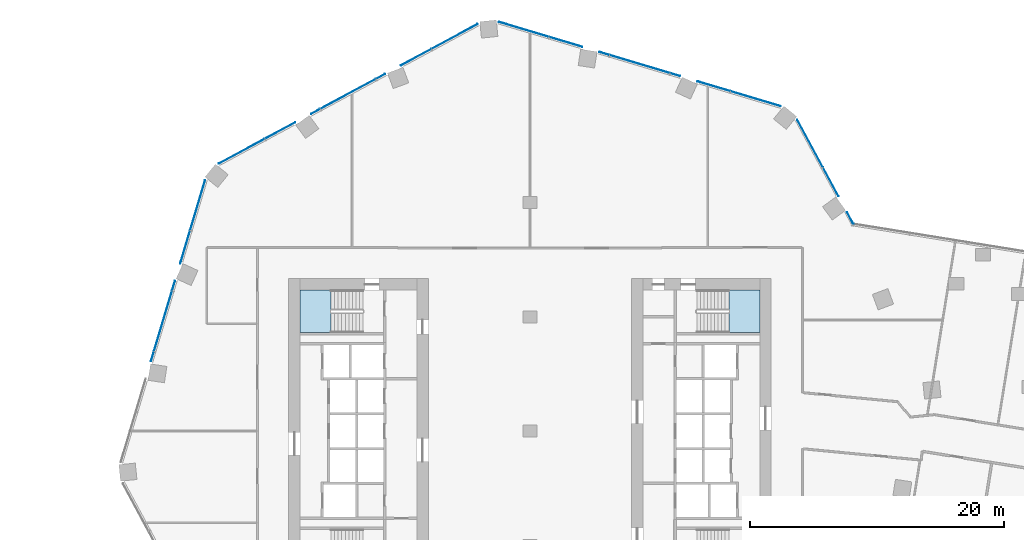
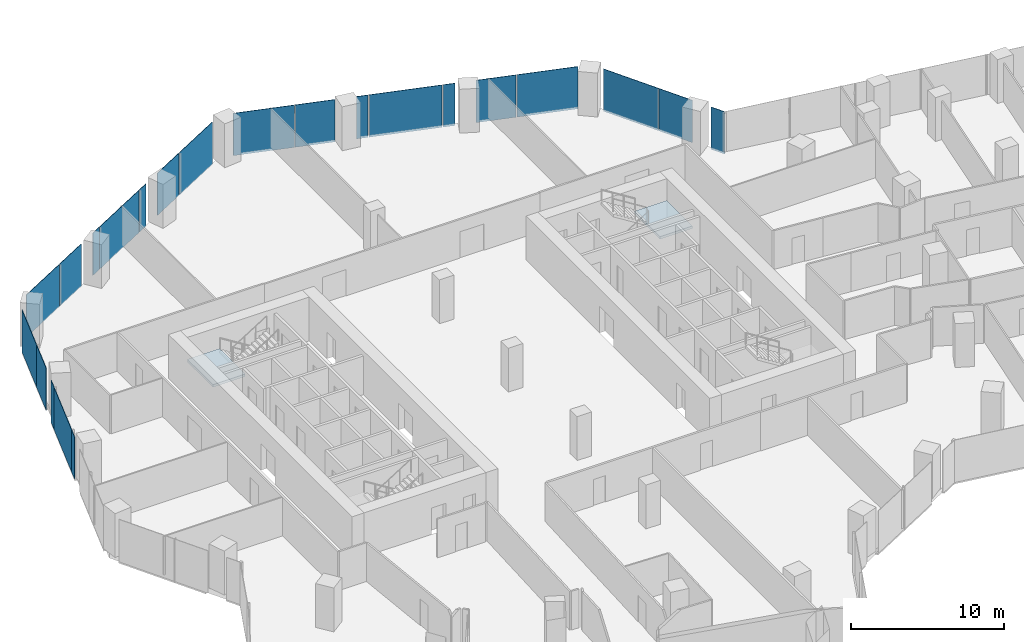
# One storey, part 23 of 34: 22 plates, 2 slabs, 6 elements without a shape of their own.
"""IFC4 building model written with IfcOpenShell, lengths in metres."""

import ifcopenshell
import ifcopenshell.guid

model = None  # the IFC model being written
_history = None  # IfcOwnerHistory: only IFC2X3 demands one
_inside = {}  # id of a spatial element -> (the spatial element, [elements in it])
_under = {}  # id of a project, library or spatial element -> (it, [spatial elements below it])
_declared = {}  # id of a project -> (the project, [libraries it declares])
_typed = {}  # id of a type object -> (the type object, [elements of that type])
_made_of = {}  # id of a material, layer set ... -> (it, [elements and type objects made of it])


def new_model(schema):
    """Start an empty IFC model of exactly this schema.

    Asked for "IFC4X3", IfcOpenShell would pick the latest addendum, in which some entities
    have other attributes; the version numbers below select the first issue.
    IFC2X3 requires an IfcOwnerHistory on every rooted entity: one is made here for all.
    """
    global model, _history
    if schema == "IFC4X3":
        model = ifcopenshell.file(schema_version=(4, 3, 0, 0))
    else:
        model = ifcopenshell.file(schema=schema)
    _inside.clear()
    _under.clear()
    _declared.clear()
    _typed.clear()
    _made_of.clear()
    _history = None
    if model.schema == "IFC2X3":
        org = make("IfcOrganization", Name="unknown")
        user = make(
            "IfcPersonAndOrganization",
            ThePerson=make("IfcPerson", FamilyName="unknown"),
            TheOrganization=org,
        )
        app = make(
            "IfcApplication",
            ApplicationDeveloper=org,
            Version="unknown",
            ApplicationFullName="unknown",
            ApplicationIdentifier="unknown",
        )
        _history = make(
            "IfcOwnerHistory",
            OwningUser=user,
            OwningApplication=app,
            ChangeAction="ADDED",
            CreationDate=0,
        )
    return model


def make(cls, **values):
    """One entity of the class cls with the attributes given. An attribute that is None is left unset."""
    return model.create_entity(
        cls, **{name: value for name, value in values.items() if value is not None}
    )


def rooted(cls, **values):
    """An entity with a GlobalId (a new one), such as an element, a storey or a relation."""
    return make(cls, GlobalId=ifcopenshell.guid.new(), OwnerHistory=_history, **values)


def si_unit(unit_type, name, prefix=None):
    """IfcSIUnit, for example si_unit("LENGTHUNIT", "METRE", prefix="MILLI")."""
    return make("IfcSIUnit", UnitType=unit_type, Prefix=prefix, Name=name)


def assignment(units):
    """IfcUnitAssignment: the units of a project."""
    return None if units is None else make("IfcUnitAssignment", Units=units)


def point(xyz):
    """IfcCartesianPoint."""
    return None if xyz is None else make("IfcCartesianPoint", Coordinates=xyz)


def direction(xyz):
    """IfcDirection."""
    return None if xyz is None else make("IfcDirection", DirectionRatios=xyz)


def frame(location, z_axis=None, x_axis=None):
    """IfcAxis2Placement3D, a coordinate frame: its origin and axes. An axis left out is left unset."""
    return make(
        "IfcAxis2Placement3D",
        Location=point(location),
        Axis=direction(z_axis),
        RefDirection=direction(x_axis),
    )


def frame_2d(location, x_axis=None):
    """IfcAxis2Placement2D, a coordinate frame in the plane: its origin and x axis."""
    return make(
        "IfcAxis2Placement2D", Location=point(location), RefDirection=direction(x_axis)
    )


def origin():
    """The frame at (0, 0, 0) with its axes left unset."""
    return frame((0.0, 0.0, 0.0))


def origin_2d():
    """The frame at (0, 0) in the plane with its x axis left unset."""
    return frame_2d((0.0, 0.0))


def place(relative_to, where):
    """IfcLocalPlacement: puts the frame where relative to a parent placement (None: the world)."""
    return make(
        "IfcLocalPlacement", PlacementRelTo=relative_to, RelativePlacement=where
    )


def context(
    kind, dimensions, precision=None, world=None, true_north=None, identifier=None
):
    """IfcGeometricRepresentationContext, for example the 3D "Model" context."""
    return make(
        "IfcGeometricRepresentationContext",
        ContextIdentifier=identifier,
        ContextType=kind,
        CoordinateSpaceDimension=dimensions,
        Precision=precision,
        WorldCoordinateSystem=world,
        TrueNorth=true_north,
    )


def subcontext(parent, identifier, kind, view, scale=None):
    """IfcGeometricRepresentationSubContext, for example "Body" below "Model"."""
    return make(
        "IfcGeometricRepresentationSubContext",
        ContextIdentifier=identifier,
        ContextType=kind,
        ParentContext=parent,
        TargetScale=scale,
        TargetView=view,
    )


def project(units=None, contexts=None):
    """IfcProject with its units and contexts."""
    return rooted(
        "IfcProject",
        Name="project",
        RepresentationContexts=contexts,
        UnitsInContext=assignment(units),
    )


def spatial(cls, under=None, at=None, **own):
    """A site, building, storey or space (cls), placed at a placement, below another one or the project."""
    s = rooted(cls, ObjectPlacement=at, **own)
    if under is not None:
        _under.setdefault(under.id(), (under, []))[1].append(s)
    return s


def polyline(points):
    """IfcPolyline through the points."""
    return make("IfcPolyline", Points=[point(p) for p in points])


def profile(cls, at=None, kind="AREA", **sizes):
    """A parametric profile (cls). Its sizes go by their IFC names, for example OverallWidth=200.0."""
    return make(cls, ProfileType=kind, Position=at, **sizes)


def rectangle(**sizes):
    """IfcRectangleProfileDef."""
    return profile("IfcRectangleProfileDef", **sizes)


def outline(outer, holes=None, kind="AREA"):
    """IfcArbitraryClosedProfileDef: a profile drawn as a closed curve; with holes, ...WithVoids."""
    if holes is None:
        return make("IfcArbitraryClosedProfileDef", ProfileType=kind, OuterCurve=outer)
    return make(
        "IfcArbitraryProfileDefWithVoids",
        ProfileType=kind,
        OuterCurve=outer,
        InnerCurves=holes,
    )


def extrude(swept, where, along, depth):
    """IfcExtrudedAreaSolid: the profile swept, set in the frame where, extruded along a direction by depth."""
    return make(
        "IfcExtrudedAreaSolid",
        SweptArea=swept,
        Position=where,
        ExtrudedDirection=direction(along),
        Depth=depth,
    )


def shape(context_of_items, identifier, shape_type, items):
    """IfcShapeRepresentation: the items that make up one representation, for example the "Body"."""
    return make(
        "IfcShapeRepresentation",
        ContextOfItems=context_of_items,
        RepresentationIdentifier=identifier,
        RepresentationType=shape_type,
        Items=items,
    )


def material(Name=None, Category=None):
    """IfcMaterial."""
    return make("IfcMaterial", Name=Name, Category=Category)


def layer(
    of_material, thickness, ventilated=None, Name=None, Category=None, Priority=None
):
    """IfcMaterialLayer: one layer of a wall or slab, of a material (None: an air gap)."""
    return make(
        "IfcMaterialLayer",
        Material=of_material,
        LayerThickness=thickness,
        IsVentilated=ventilated,
        Name=Name,
        Category=Category,
        Priority=Priority,
    )


def layer_set(layers, Name=None):
    """IfcMaterialLayerSet."""
    return make("IfcMaterialLayerSet", MaterialLayers=layers, LayerSetName=Name)


def made_of(thing, what):
    """Note that an element or type object is made of a material, layer set ...; save() writes the relation."""
    if what is not None:
        _made_of.setdefault(what.id(), (what, []))[1].append(thing)
    return thing


def type_object(cls, material=None, **own):
    """A type object (cls), such as IfcWallType, which elements share."""
    return made_of(rooted(cls, **own), material)


def element(
    cls,
    number,
    at=None,
    inside=None,
    cuts=None,
    type_object=None,
    material=None,
    context=None,
    identifier="Body",
    shape_type=None,
    held_by="IfcProductDefinitionShape",
    body=None,
    shapes=None,
    **own,
):
    """One element of the class cls, such as IfcWall. Its Tag is "e" and its number.

    at: its placement. inside: the storey or other place that contains it. cuts: it is an
    opening in that element (IfcRelVoidsElement). A single representation is given by context,
    identifier, shape_type and body (its items); several are given by shapes. held_by: the class
    of the entity that holds the representations. save() writes the other relations.
    """
    e = rooted(cls, Tag="e%d" % number, ObjectPlacement=at, **own)
    if body is not None:
        shapes = [shape(context, identifier, shape_type, body)]
    if shapes is not None:
        e.Representation = make(held_by, Representations=shapes)
    if inside is not None:
        _inside.setdefault(inside.id(), (inside, []))[1].append(e)
    if cuts is not None:
        rooted(
            "IfcRelVoidsElement", RelatingBuildingElement=cuts, RelatedOpeningElement=e
        )
    if type_object is not None:
        _typed.setdefault(type_object.id(), (type_object, []))[1].append(e)
    return made_of(e, material)


def aggregate(whole, parts):
    """IfcRelAggregates: a whole, such as a stair, and the parts it consists of."""
    return rooted("IfcRelAggregates", RelatingObject=whole, RelatedObjects=parts)


def save(model, path):
    """Write the relations noted so far, then the file.

    IfcRelAggregates (storeys below a building ...), IfcRelContainedInSpatialStructure (elements
    in a storey), IfcRelDefinesByType, IfcRelAssociatesMaterial and IfcRelDeclares: one each for
    every whole, place, type object, material and project.
    """
    for whole, parts in _under.values():
        aggregate(whole, parts)
    for where, things in _inside.values():
        rooted(
            "IfcRelContainedInSpatialStructure",
            RelatedElements=things,
            RelatingStructure=where,
        )
    for kind, things in _typed.values():
        rooted("IfcRelDefinesByType", RelatedObjects=things, RelatingType=kind)
    for what, things in _made_of.values():
        rooted("IfcRelAssociatesMaterial", RelatedObjects=things, RelatingMaterial=what)
    for by, libraries in _declared.values():
        rooted("IfcRelDeclares", RelatingContext=by, RelatedDefinitions=libraries)
    model.write(path)


model = new_model("IFC4")

# Units and contexts
model_context = context("Model", 3, precision=1e-05, world=origin(), true_north=direction((0.0, 1.0)))
body_context = subcontext(model_context, "Body", "Model", "MODEL_VIEW")
ifc_project = project(units=[si_unit("LENGTHUNIT", "METRE"), si_unit("AREAUNIT", "SQUARE_METRE"), si_unit("VOLUMEUNIT", "CUBIC_METRE"), si_unit("PLANEANGLEUNIT", "RADIAN"), si_unit("MASSUNIT", "GRAM", prefix="KILO")], contexts=[model_context])

# Site, building, storey
site_placement = place(None, origin())
site = spatial("IfcSite", under=ifc_project, at=site_placement, CompositionType="ELEMENT")
building_placement = place(site_placement, origin())
building = spatial("IfcBuilding", under=site, at=building_placement, Name="Orlundy Tower", CompositionType="ELEMENT")
storey_placement = place(building_placement, frame((0.0, 0.0, 127.199951171875)))
storey = spatial("IfcBuildingStorey", under=building, at=storey_placement, Name="L32", CompositionType="ELEMENT", Elevation=127.199951171875)

# Curtain wall, plates
ifc_material_1 = material(Name="Aluminium bronze anodised", Category="aluminium")
curtain_wall_type = type_object("IfcCurtainWallType", Name="CW1 wall", PredefinedType="NOTDEFINED", material=ifc_material_1)
curtain_wall_1_placement = place(storey_placement, origin())
curtain_wall_1 = element("IfcCurtainWall", 1, at=curtain_wall_1_placement, inside=storey, type_object=curtain_wall_type, Name="CW1 run 02", PredefinedType="NOTDEFINED")
ifc_material_2 = material(Name="Tinted glass", Category="glass")
ifc_layer_1 = layer(ifc_material_2, 0.031982421875)
ifc_layer_set_1 = layer_set([ifc_layer_1], Name="CW1 glass panel 32")
plate_type = type_object("IfcPlateType", Name="CW1 glass panel 32", PredefinedType="CURTAIN_PANEL", material=ifc_layer_set_1)
plate_1_placement = place(storey_placement, frame((-29.731201171875, 5.86474609375, -0.27978515625), z_axis=(0.0, 0.0, 1.0), x_axis=(0.286816257107, 0.957985612971, 0.0)))
plate_1 = element("IfcPlate", 2, at=plate_1_placement, type_object=plate_type, Name="CW1 panel", PredefinedType="CURTAIN_PANEL", context=body_context, shape_type="SweptSolid", body=[
    extrude(rectangle(XDim=0.796630859375, YDim=0.031982421875, at=origin_2d()), origin(), (0.0, 0.0, 1.0), 3.3798828125),
])
plate_2_placement = place(storey_placement, frame((-28.897216796875, 8.651123046875, -0.27978515625), z_axis=(0.0, 0.0, 1.0), x_axis=(0.286816257107, 0.957985612971, 0.0)))
plate_2 = element("IfcPlate", 3, at=plate_2_placement, type_object=plate_type, Name="CW1 panel", PredefinedType="CURTAIN_PANEL", context=body_context, shape_type="SweptSolid", body=[
    extrude(rectangle(XDim=4.92041015625, YDim=0.031982421875, at=origin_2d()), origin(), (0.0, 0.0, 1.0), 3.3798828125),
])
plate_3_placement = place(storey_placement, frame((-28.06298828125, 11.4375, -0.27978515625), z_axis=(0.0, 0.0, 1.0), x_axis=(0.286816257107, 0.957985612971, 0.0)))
plate_3 = element("IfcPlate", 4, at=plate_3_placement, type_object=plate_type, Name="CW1 panel", PredefinedType="CURTAIN_PANEL", context=body_context, shape_type="SweptSolid", body=[
    extrude(rectangle(XDim=0.796875, YDim=0.031982421875, at=origin_2d()), origin(), (0.0, 0.0, 1.0), 3.3798828125),
])
plate_4_placement = place(storey_placement, frame((-27.1513671875, 14.481689453125, -0.27978515625), z_axis=(0.0, 0.0, 1.0), x_axis=(0.286816257107, 0.957985612971, 0.0)))
plate_4 = element("IfcPlate", 5, at=plate_4_placement, type_object=plate_type, Name="CW1 panel", PredefinedType="CURTAIN_PANEL", context=body_context, shape_type="SweptSolid", body=[
    extrude(rectangle(XDim=2.6884765625, YDim=0.031982421875, at=origin_2d()), origin(), (0.0, 0.0, 1.0), 3.3798828125),
])
plate_5_placement = place(storey_placement, frame((-26.16455078125, 17.7783203125, -0.27978515625), z_axis=(0.0, 0.0, 1.0), x_axis=(0.286816257107, 0.957985612971, 0.0)))
plate_5 = element("IfcPlate", 6, at=plate_5_placement, type_object=plate_type, Name="CW1 panel", PredefinedType="CURTAIN_PANEL", context=body_context, shape_type="SweptSolid", body=[
    extrude(rectangle(XDim=4.09375, YDim=0.031982421875, at=origin_2d()), origin(), (0.0, 0.0, 1.0), 3.3798828125),
])
aggregate(curtain_wall_1, [plate_1, plate_2, plate_3, plate_4, plate_5])

curtain_wall_2_placement = place(storey_placement, origin())
curtain_wall_2 = element("IfcCurtainWall", 7, at=curtain_wall_2_placement, inside=storey, type_object=curtain_wall_type, Name="CW1 run 03", PredefinedType="NOTDEFINED")
plate_6_placement = place(storey_placement, frame((-22.701904296875, 22.0283203125, -0.27978515625), z_axis=(0.0, 0.0, 1.0), x_axis=(0.880191882793, 0.47461800373, 0.0)))
plate_6 = element("IfcPlate", 8, at=plate_6_placement, type_object=plate_type, Name="CW1 panel", PredefinedType="CURTAIN_PANEL", context=body_context, shape_type="SweptSolid", body=[
    extrude(rectangle(XDim=4.09326171875, YDim=0.031982421875, at=origin_2d()), origin(), (0.0, 0.0, 1.0), 3.3798828125),
])
plate_7_placement = place(storey_placement, frame((-19.67138671875, 23.662353515625, -0.27978515625), z_axis=(0.0, 0.0, 1.0), x_axis=(0.880191882793, 0.47461800373, 0.0)))
plate_7 = element("IfcPlate", 9, at=plate_7_placement, type_object=plate_type, Name="CW1 panel", PredefinedType="CURTAIN_PANEL", context=body_context, shape_type="SweptSolid", body=[
    extrude(rectangle(XDim=2.69287109375, YDim=0.031982421875, at=origin_2d()), origin(), (0.0, 0.0, 1.0), 3.3798828125),
])
plate_8_placement = place(storey_placement, frame((-16.8759765625, 25.169921875, -0.27978515625), z_axis=(0.0, 0.0, 1.0), x_axis=(0.880191882793, 0.47461800373, 0.0)))
plate_8 = element("IfcPlate", 10, at=plate_8_placement, type_object=plate_type, Name="CW1 panel", PredefinedType="CURTAIN_PANEL", context=body_context, shape_type="SweptSolid", body=[
    extrude(rectangle(XDim=0.79638671875, YDim=0.031982421875, at=origin_2d()), origin(), (0.0, 0.0, 1.0), 3.3798828125),
])
plate_9_placement = place(storey_placement, frame((-14.31591796875, 26.55029296875, -0.27978515625), z_axis=(0.0, 0.0, 1.0), x_axis=(0.880191882793, 0.47461800373, 0.0)))
plate_9 = element("IfcPlate", 11, at=plate_9_placement, type_object=plate_type, Name="CW1 panel", PredefinedType="CURTAIN_PANEL", context=body_context, shape_type="SweptSolid", body=[
    extrude(rectangle(XDim=4.920654296875, YDim=0.031982421875, at=origin_2d()), origin(), (0.0, 0.0, 1.0), 3.3798828125),
])
plate_10_placement = place(storey_placement, frame((-11.755615234375, 27.930908203125, -0.27978515625), z_axis=(0.0, 0.0, 1.0), x_axis=(0.880191882793, 0.47461800373, 0.0)))
plate_10 = element("IfcPlate", 12, at=plate_10_placement, type_object=plate_type, Name="CW1 panel", PredefinedType="CURTAIN_PANEL", context=body_context, shape_type="SweptSolid", body=[
    extrude(rectangle(XDim=0.79638671875, YDim=0.031982421875, at=origin_2d()), origin(), (0.0, 0.0, 1.0), 3.3798828125),
])
plate_11_placement = place(storey_placement, frame((-8.9609375, 29.437744140625, -0.27978515625), z_axis=(0.0, 0.0, 1.0), x_axis=(0.880191882793, 0.47461800373, 0.0)))
plate_11 = element("IfcPlate", 13, at=plate_11_placement, type_object=plate_type, Name="CW1 panel", PredefinedType="CURTAIN_PANEL", context=body_context, shape_type="SweptSolid", body=[
    extrude(rectangle(XDim=2.69482421875, YDim=0.031982421875, at=origin_2d()), origin(), (0.0, 0.0, 1.0), 3.3798828125),
])
plate_12_placement = place(storey_placement, frame((-5.929443359375, 31.072509765625, -0.27978515625), z_axis=(0.0, 0.0, 1.0), x_axis=(0.880191882793, 0.47461800373, 0.0)))
plate_12 = element("IfcPlate", 14, at=plate_12_placement, type_object=plate_type, Name="CW1 panel", PredefinedType="CURTAIN_PANEL", context=body_context, shape_type="SweptSolid", body=[
    extrude(rectangle(XDim=4.09375, YDim=0.031982421875, at=origin_2d()), origin(), (0.0, 0.0, 1.0), 3.3798828125),
])
aggregate(curtain_wall_2, [plate_6, plate_7, plate_8, plate_9, plate_10, plate_11, plate_12])

curtain_wall_3_placement = place(storey_placement, origin())
curtain_wall_3 = element("IfcCurtainWall", 15, at=curtain_wall_3_placement, inside=storey, type_object=curtain_wall_type, Name="CW1 run 04", PredefinedType="NOTDEFINED")
plate_13_placement = place(storey_placement, frame((-0.47607421875, 31.629638671875, -0.27978515625), z_axis=(0.0, 0.0, 1.0), x_axis=(0.957985612971, -0.286816257107, 0.0)))
plate_13 = element("IfcPlate", 16, at=plate_13_placement, type_object=plate_type, Name="CW1 panel", PredefinedType="CURTAIN_PANEL", context=body_context, shape_type="SweptSolid", body=[
    extrude(rectangle(XDim=4.09326171875, YDim=0.031982421875, at=origin_2d()), origin(), (0.0, 0.0, 1.0), 3.3798828125),
])
plate_14_placement = place(storey_placement, frame((2.822998046875, 30.64208984375, -0.27978515625), z_axis=(0.0, 0.0, 1.0), x_axis=(0.957985612971, -0.286816257107, 0.0)))
plate_14 = element("IfcPlate", 17, at=plate_14_placement, type_object=plate_type, Name="CW1 panel", PredefinedType="CURTAIN_PANEL", context=body_context, shape_type="SweptSolid", body=[
    extrude(rectangle(XDim=2.69384765625, YDim=0.031982421875, at=origin_2d()), origin(), (0.0, 0.0, 1.0), 3.3798828125),
])
plate_15_placement = place(storey_placement, frame((5.86474609375, 29.731201171875, -0.27978515625), z_axis=(0.0, 0.0, 1.0), x_axis=(0.957985612971, -0.286816257107, 0.0)))
plate_15 = element("IfcPlate", 18, at=plate_15_placement, type_object=plate_type, Name="CW1 panel", PredefinedType="CURTAIN_PANEL", context=body_context, shape_type="SweptSolid", body=[
    extrude(rectangle(XDim=0.796630859375, YDim=0.031982421875, at=origin_2d()), origin(), (0.0, 0.0, 1.0), 3.3798828125),
])
plate_16_placement = place(storey_placement, frame((8.651123046875, 28.897216796875, -0.27978515625), z_axis=(0.0, 0.0, 1.0), x_axis=(0.957985612971, -0.286816257107, 0.0)))
plate_16 = element("IfcPlate", 19, at=plate_16_placement, type_object=plate_type, Name="CW1 panel", PredefinedType="CURTAIN_PANEL", context=body_context, shape_type="SweptSolid", body=[
    extrude(rectangle(XDim=4.92041015625, YDim=0.031982421875, at=origin_2d()), origin(), (0.0, 0.0, 1.0), 3.3798828125),
])
plate_17_placement = place(storey_placement, frame((11.4375, 28.06298828125, -0.27978515625), z_axis=(0.0, 0.0, 1.0), x_axis=(0.957985612971, -0.286816257107, 0.0)))
plate_17 = element("IfcPlate", 20, at=plate_17_placement, type_object=plate_type, Name="CW1 panel", PredefinedType="CURTAIN_PANEL", context=body_context, shape_type="SweptSolid", body=[
    extrude(rectangle(XDim=0.796875, YDim=0.031982421875, at=origin_2d()), origin(), (0.0, 0.0, 1.0), 3.3798828125),
])
plate_18_placement = place(storey_placement, frame((14.481689453125, 27.1513671875, -0.27978515625), z_axis=(0.0, 0.0, 1.0), x_axis=(0.957985612971, -0.286816257107, 0.0)))
plate_18 = element("IfcPlate", 21, at=plate_18_placement, type_object=plate_type, Name="CW1 panel", PredefinedType="CURTAIN_PANEL", context=body_context, shape_type="SweptSolid", body=[
    extrude(rectangle(XDim=2.6884765625, YDim=0.031982421875, at=origin_2d()), origin(), (0.0, 0.0, 1.0), 3.3798828125),
])
plate_19_placement = place(storey_placement, frame((17.7783203125, 26.16455078125, -0.27978515625), z_axis=(0.0, 0.0, 1.0), x_axis=(0.957985612971, -0.286816257107, 0.0)))
plate_19 = element("IfcPlate", 22, at=plate_19_placement, type_object=plate_type, Name="CW1 panel", PredefinedType="CURTAIN_PANEL", context=body_context, shape_type="SweptSolid", body=[
    extrude(rectangle(XDim=4.09375, YDim=0.031982421875, at=origin_2d()), origin(), (0.0, 0.0, 1.0), 3.3798828125),
])
aggregate(curtain_wall_3, [plate_13, plate_14, plate_15, plate_16, plate_17, plate_18, plate_19])

curtain_wall_4_placement = place(storey_placement, origin())
curtain_wall_4 = element("IfcCurtainWall", 23, at=curtain_wall_4_placement, inside=storey, type_object=curtain_wall_type, Name="CW1 run 05", PredefinedType="NOTDEFINED")
plate_20_placement = place(storey_placement, frame((22.0634765625, 22.636962890625, -0.27978515625), z_axis=(0.0, 0.0, 1.0), x_axis=(0.4746239814, -0.880188659482, 0.0)))
plate_20 = element("IfcPlate", 24, at=plate_20_placement, type_object=plate_type, Name="CW1 panel", PredefinedType="CURTAIN_PANEL", context=body_context, shape_type="SweptSolid", body=[
    extrude(rectangle(XDim=4.2412109375, YDim=0.031982421875, at=origin_2d()), origin(), (0.0, 0.0, 1.0), 3.3798828125),
])
plate_21_placement = place(storey_placement, frame((23.69775390625, 19.606201171875, -0.27978515625), z_axis=(0.0, 0.0, 1.0), x_axis=(0.4746239814, -0.880188659482, 0.0)))
plate_21 = element("IfcPlate", 25, at=plate_21_placement, type_object=plate_type, Name="CW1 panel", PredefinedType="CURTAIN_PANEL", context=body_context, shape_type="SweptSolid", body=[
    extrude(rectangle(XDim=2.545166015625, YDim=0.031982421875, at=origin_2d()), origin(), (0.0, 0.0, 1.0), 3.3798828125),
])
plate_22_placement = place(storey_placement, frame((25.22705078125, 16.770263671875, -0.27978515625), z_axis=(0.0, 0.0, 1.0), x_axis=(0.4746239814, -0.880188659482, 0.0)))
plate_22 = element("IfcPlate", 26, at=plate_22_placement, type_object=plate_type, Name="CW1 panel", PredefinedType="CURTAIN_PANEL", context=body_context, shape_type="SweptSolid", body=[
    extrude(rectangle(XDim=1.03662109375, YDim=0.031982421875, at=origin_2d()), origin(), (0.0, 0.0, 1.0), 3.3798828125),
])
aggregate(curtain_wall_4, [plate_20, plate_21, plate_22])

# Stair, slab
ifc_material_3 = material(Name="Concrete C50/60", Category="concrete")
stair_type = type_object("IfcStairType", Name="Exit Stair 20 risers", PredefinedType="HALF_TURN_STAIR", material=ifc_material_3)
stair_1_placement = place(storey_placement, origin())
stair_1 = element("IfcStair", 27, at=stair_1_placement, inside=storey, type_object=stair_type, Name="L32 Exit Stair ST-W1", PredefinedType="HALF_TURN_STAIR")
ifc_material_4 = material(Name="Concrete C50/60", Category="concrete")
ifc_layer_2 = layer(ifc_material_4, 0.199951171875)
ifc_layer_set_2 = layer_set([ifc_layer_2], Name="Exit Stair Landing")
slab_type = type_object("IfcSlabType", Name="Exit Stair Landing", PredefinedType="LANDING", material=ifc_layer_set_2)
slab_1_placement = place(storey_placement, frame((0.0, 0.0, 1.550048828125)))
slab_1 = element("IfcSlab", 28, at=slab_1_placement, type_object=slab_type, Name="ST-W1 landing 1", PredefinedType="LANDING", context=body_context, shape_type="SweptSolid", body=[
    extrude(outline(polyline([(-15.659912109375, 11.10009765625), (-18.10009765625, 11.10009765625), (-18.10009765625, 7.75), (-15.659912109375, 7.75), (-15.659912109375, 11.10009765625)])), origin(), (0.0, 0.0, 1.0), 0.199951171875),
])
aggregate(stair_1, [slab_1])

stair_2_placement = place(storey_placement, origin())
stair_2 = element("IfcStair", 29, at=stair_2_placement, inside=storey, type_object=stair_type, Name="L32 Exit Stair ST-E2", PredefinedType="HALF_TURN_STAIR")
slab_2_placement = place(storey_placement, frame((0.0, 0.0, 1.550048828125)))
slab_2 = element("IfcSlab", 30, at=slab_2_placement, type_object=slab_type, Name="ST-E2 landing 1", PredefinedType="LANDING", context=body_context, shape_type="SweptSolid", body=[
    extrude(outline(polyline([(15.659912109375, 7.75), (18.10009765625, 7.75), (18.10009765625, 11.10009765625), (15.659912109375, 11.10009765625), (15.659912109375, 7.75)])), origin(), (0.0, 0.0, 1.0), 0.199951171875),
])
aggregate(stair_2, [slab_2])

save(model, "model.ifc")
